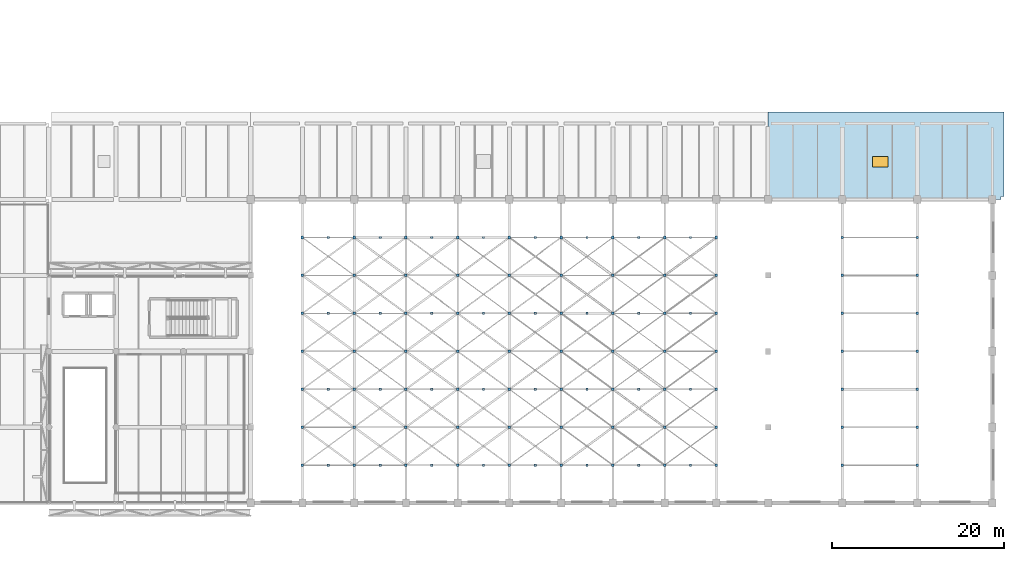
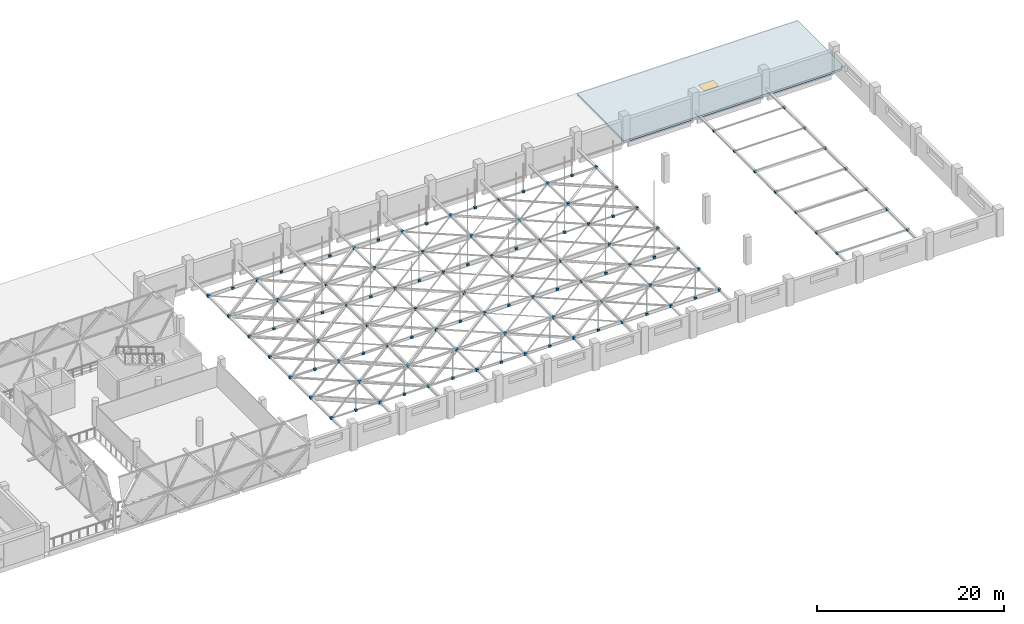
# One storey, part 72 of 93: 109 plates, 1 slab, 1 window, 1 opening.
"""IFC4 building model written with IfcOpenShell, lengths in metres."""

import ifcopenshell
import ifcopenshell.guid

model = None  # the IFC model being written
_history = None  # IfcOwnerHistory: only IFC2X3 demands one
_inside = {}  # id of a spatial element -> (the spatial element, [elements in it])
_under = {}  # id of a project, library or spatial element -> (it, [spatial elements below it])
_declared = {}  # id of a project -> (the project, [libraries it declares])
_typed = {}  # id of a type object -> (the type object, [elements of that type])
_made_of = {}  # id of a material, layer set ... -> (it, [elements and type objects made of it])


def new_model(schema):
    """Start an empty IFC model of exactly this schema.

    Asked for "IFC4X3", IfcOpenShell would pick the latest addendum, in which some entities
    have other attributes; the version numbers below select the first issue.
    IFC2X3 requires an IfcOwnerHistory on every rooted entity: one is made here for all.
    """
    global model, _history
    if schema == "IFC4X3":
        model = ifcopenshell.file(schema_version=(4, 3, 0, 0))
    else:
        model = ifcopenshell.file(schema=schema)
    _inside.clear()
    _under.clear()
    _declared.clear()
    _typed.clear()
    _made_of.clear()
    _history = None
    if model.schema == "IFC2X3":
        org = make("IfcOrganization", Name="unknown")
        user = make(
            "IfcPersonAndOrganization",
            ThePerson=make("IfcPerson", FamilyName="unknown"),
            TheOrganization=org,
        )
        app = make(
            "IfcApplication",
            ApplicationDeveloper=org,
            Version="unknown",
            ApplicationFullName="unknown",
            ApplicationIdentifier="unknown",
        )
        _history = make(
            "IfcOwnerHistory",
            OwningUser=user,
            OwningApplication=app,
            ChangeAction="ADDED",
            CreationDate=0,
        )
    return model


def make(cls, **values):
    """One entity of the class cls with the attributes given. An attribute that is None is left unset."""
    return model.create_entity(
        cls, **{name: value for name, value in values.items() if value is not None}
    )


def rooted(cls, **values):
    """An entity with a GlobalId (a new one), such as an element, a storey or a relation."""
    return make(cls, GlobalId=ifcopenshell.guid.new(), OwnerHistory=_history, **values)


def si_unit(unit_type, name, prefix=None):
    """IfcSIUnit, for example si_unit("LENGTHUNIT", "METRE", prefix="MILLI")."""
    return make("IfcSIUnit", UnitType=unit_type, Prefix=prefix, Name=name)


def assignment(units):
    """IfcUnitAssignment: the units of a project."""
    return None if units is None else make("IfcUnitAssignment", Units=units)


def point(xyz):
    """IfcCartesianPoint."""
    return None if xyz is None else make("IfcCartesianPoint", Coordinates=xyz)


def direction(xyz):
    """IfcDirection."""
    return None if xyz is None else make("IfcDirection", DirectionRatios=xyz)


def frame(location, z_axis=None, x_axis=None):
    """IfcAxis2Placement3D, a coordinate frame: its origin and axes. An axis left out is left unset."""
    return make(
        "IfcAxis2Placement3D",
        Location=point(location),
        Axis=direction(z_axis),
        RefDirection=direction(x_axis),
    )


def frame_2d(location, x_axis=None):
    """IfcAxis2Placement2D, a coordinate frame in the plane: its origin and x axis."""
    return make(
        "IfcAxis2Placement2D", Location=point(location), RefDirection=direction(x_axis)
    )


def origin():
    """The frame at (0, 0, 0) with its axes left unset."""
    return frame((0.0, 0.0, 0.0))


def origin_2d():
    """The frame at (0, 0) in the plane with its x axis left unset."""
    return frame_2d((0.0, 0.0))


def place(relative_to, where):
    """IfcLocalPlacement: puts the frame where relative to a parent placement (None: the world)."""
    return make(
        "IfcLocalPlacement", PlacementRelTo=relative_to, RelativePlacement=where
    )


def context(
    kind, dimensions, precision=None, world=None, true_north=None, identifier=None
):
    """IfcGeometricRepresentationContext, for example the 3D "Model" context."""
    return make(
        "IfcGeometricRepresentationContext",
        ContextIdentifier=identifier,
        ContextType=kind,
        CoordinateSpaceDimension=dimensions,
        Precision=precision,
        WorldCoordinateSystem=world,
        TrueNorth=true_north,
    )


def subcontext(parent, identifier, kind, view, scale=None):
    """IfcGeometricRepresentationSubContext, for example "Body" below "Model"."""
    return make(
        "IfcGeometricRepresentationSubContext",
        ContextIdentifier=identifier,
        ContextType=kind,
        ParentContext=parent,
        TargetScale=scale,
        TargetView=view,
    )


def project(units=None, contexts=None):
    """IfcProject with its units and contexts."""
    return rooted(
        "IfcProject",
        Name="project",
        RepresentationContexts=contexts,
        UnitsInContext=assignment(units),
    )


def spatial(cls, under=None, at=None, **own):
    """A site, building, storey or space (cls), placed at a placement, below another one or the project."""
    s = rooted(cls, ObjectPlacement=at, **own)
    if under is not None:
        _under.setdefault(under.id(), (under, []))[1].append(s)
    return s


def polyline(points):
    """IfcPolyline through the points."""
    return make("IfcPolyline", Points=[point(p) for p in points])


def profile(cls, at=None, kind="AREA", **sizes):
    """A parametric profile (cls). Its sizes go by their IFC names, for example OverallWidth=200.0."""
    return make(cls, ProfileType=kind, Position=at, **sizes)


def rectangle(**sizes):
    """IfcRectangleProfileDef."""
    return profile("IfcRectangleProfileDef", **sizes)


def outline(outer, holes=None, kind="AREA"):
    """IfcArbitraryClosedProfileDef: a profile drawn as a closed curve; with holes, ...WithVoids."""
    if holes is None:
        return make("IfcArbitraryClosedProfileDef", ProfileType=kind, OuterCurve=outer)
    return make(
        "IfcArbitraryProfileDefWithVoids",
        ProfileType=kind,
        OuterCurve=outer,
        InnerCurves=holes,
    )


def extrude(swept, where, along, depth):
    """IfcExtrudedAreaSolid: the profile swept, set in the frame where, extruded along a direction by depth."""
    return make(
        "IfcExtrudedAreaSolid",
        SweptArea=swept,
        Position=where,
        ExtrudedDirection=direction(along),
        Depth=depth,
    )


def shape(context_of_items, identifier, shape_type, items):
    """IfcShapeRepresentation: the items that make up one representation, for example the "Body"."""
    return make(
        "IfcShapeRepresentation",
        ContextOfItems=context_of_items,
        RepresentationIdentifier=identifier,
        RepresentationType=shape_type,
        Items=items,
    )


def material(Name=None, Category=None):
    """IfcMaterial."""
    return make("IfcMaterial", Name=Name, Category=Category)


def layer(
    of_material, thickness, ventilated=None, Name=None, Category=None, Priority=None
):
    """IfcMaterialLayer: one layer of a wall or slab, of a material (None: an air gap)."""
    return make(
        "IfcMaterialLayer",
        Material=of_material,
        LayerThickness=thickness,
        IsVentilated=ventilated,
        Name=Name,
        Category=Category,
        Priority=Priority,
    )


def layer_set(layers, Name=None):
    """IfcMaterialLayerSet."""
    return make("IfcMaterialLayerSet", MaterialLayers=layers, LayerSetName=Name)


def made_of(thing, what):
    """Note that an element or type object is made of a material, layer set ...; save() writes the relation."""
    if what is not None:
        _made_of.setdefault(what.id(), (what, []))[1].append(thing)
    return thing


def type_object(cls, material=None, **own):
    """A type object (cls), such as IfcWallType, which elements share."""
    return made_of(rooted(cls, **own), material)


def element(
    cls,
    number,
    at=None,
    inside=None,
    cuts=None,
    type_object=None,
    material=None,
    context=None,
    identifier="Body",
    shape_type=None,
    held_by="IfcProductDefinitionShape",
    body=None,
    shapes=None,
    **own,
):
    """One element of the class cls, such as IfcWall. Its Tag is "e" and its number.

    at: its placement. inside: the storey or other place that contains it. cuts: it is an
    opening in that element (IfcRelVoidsElement). A single representation is given by context,
    identifier, shape_type and body (its items); several are given by shapes. held_by: the class
    of the entity that holds the representations. save() writes the other relations.
    """
    e = rooted(cls, Tag="e%d" % number, ObjectPlacement=at, **own)
    if body is not None:
        shapes = [shape(context, identifier, shape_type, body)]
    if shapes is not None:
        e.Representation = make(held_by, Representations=shapes)
    if inside is not None:
        _inside.setdefault(inside.id(), (inside, []))[1].append(e)
    if cuts is not None:
        rooted(
            "IfcRelVoidsElement", RelatingBuildingElement=cuts, RelatedOpeningElement=e
        )
    if type_object is not None:
        _typed.setdefault(type_object.id(), (type_object, []))[1].append(e)
    return made_of(e, material)


def fill(opening, filler):
    """IfcRelFillsElement: the door or window that sits in an opening."""
    return rooted(
        "IfcRelFillsElement",
        RelatingOpeningElement=opening,
        RelatedBuildingElement=filler,
    )


def aggregate(whole, parts):
    """IfcRelAggregates: a whole, such as a stair, and the parts it consists of."""
    return rooted("IfcRelAggregates", RelatingObject=whole, RelatedObjects=parts)


def save(model, path):
    """Write the relations noted so far, then the file.

    IfcRelAggregates (storeys below a building ...), IfcRelContainedInSpatialStructure (elements
    in a storey), IfcRelDefinesByType, IfcRelAssociatesMaterial and IfcRelDeclares: one each for
    every whole, place, type object, material and project.
    """
    for whole, parts in _under.values():
        aggregate(whole, parts)
    for where, things in _inside.values():
        rooted(
            "IfcRelContainedInSpatialStructure",
            RelatedElements=things,
            RelatingStructure=where,
        )
    for kind, things in _typed.values():
        rooted("IfcRelDefinesByType", RelatedObjects=things, RelatingType=kind)
    for what, things in _made_of.values():
        rooted("IfcRelAssociatesMaterial", RelatedObjects=things, RelatingMaterial=what)
    for by, libraries in _declared.values():
        rooted("IfcRelDeclares", RelatingContext=by, RelatedDefinitions=libraries)
    model.write(path)


model = new_model("IFC4")

# Units and contexts
model_context = context("Model", 3, precision=1e-05, world=origin(), true_north=direction((0.0, 1.0)))
body_context = subcontext(model_context, "Body", "Model", "MODEL_VIEW")
ifc_project = project(units=[si_unit("LENGTHUNIT", "METRE"), si_unit("AREAUNIT", "SQUARE_METRE"), si_unit("VOLUMEUNIT", "CUBIC_METRE"), si_unit("PLANEANGLEUNIT", "RADIAN"), si_unit("MASSUNIT", "GRAM", prefix="KILO")], contexts=[model_context])

# Site, building, storey
site_placement = place(None, origin())
site = spatial("IfcSite", under=ifc_project, at=site_placement, CompositionType="ELEMENT")
building_placement = place(site_placement, origin())
building = spatial("IfcBuilding", under=site, at=building_placement, Name="Varnakota Cinema and Media Centre", CompositionType="ELEMENT")
storey_placement = place(building_placement, frame((0.0, 0.0, 12.0)))
storey = spatial("IfcBuildingStorey", under=building, at=storey_placement, Name="L03", CompositionType="ELEMENT", Elevation=12.0)

# Plates
ifc_material_1 = material(Name="Structural steel Grade 350 (E350)", Category="steel")
ifc_layer_1 = layer(ifc_material_1, 0.01611328125)
ifc_layer_set_1 = layer_set([ifc_layer_1], Name="Structural steel Grade 350 (E350)")
plate_type = type_object("IfcPlateType", Name="PL-NODE-16", PredefinedType="SHEET", material=ifc_layer_set_1)
for number, where, z_axis, x_axis, name in (
    (1, (84.0, 4.39990234375, 1.16015625), (0.0, 0.0, 1.0), (1.0, 0.0, 0.0), "V1 hanger base plate 2.1"),
    (2, (84.0, 13.199951171875, 1.16015625), (0.0, 0.0, 1.0), (1.0, 0.0, 0.0), "V1 hanger base plate 2.2"),
    (3, (84.0, 22.0, 1.16015625), (0.0, 0.0, 1.0), (1.0, 0.0, 0.0), "V1 hanger base plate 2.3"),
    (4, (84.0, 30.800048828125, 1.16015625), (0.0, 0.0, 1.0), (1.0, 0.0, 0.0), "V1 hanger base plate 2.4"),
    (5, (90.0, 4.39990234375, 1.16015625), (0.0, 0.0, 1.0), (1.0, 0.0, 0.0), "V1 hanger base plate 3.1"),
    (6, (90.0, 13.199951171875, 1.16015625), (0.0, 0.0, 1.0), (1.0, 0.0, 0.0), "V1 hanger base plate 3.2"),
    (7, (90.0, 22.0, 1.16015625), (0.0, 0.0, 1.0), (1.0, 0.0, 0.0), "V1 hanger base plate 3.3"),
    (8, (90.0, 30.800048828125, 1.16015625), (0.0, 0.0, 1.0), (1.0, 0.0, 0.0), "V1 hanger base plate 3.4"),
    (9, (96.0, 4.39990234375, 1.16015625), (0.0, 0.0, 1.0), (1.0, 0.0, 0.0), "V1 hanger base plate 4.1"),
    (10, (96.0, 13.199951171875, 1.16015625), (0.0, 0.0, 1.0), (1.0, 0.0, 0.0), "V1 hanger base plate 4.2"),
    (11, (96.0, 22.0, 1.16015625), (0.0, 0.0, 1.0), (1.0, 0.0, 0.0), "V1 hanger base plate 4.3"),
    (12, (96.0, 30.800048828125, 1.16015625), (0.0, 0.0, 1.0), (1.0, 0.0, 0.0), "V1 hanger base plate 4.4"),
    (13, (102.0, 4.39990234375, 1.16015625), (0.0, 0.0, 1.0), (1.0, 0.0, 0.0), "V1 hanger base plate 5.1"),
    (14, (102.0, 13.199951171875, 1.16015625), (0.0, 0.0, 1.0), (1.0, 0.0, 0.0), "V1 hanger base plate 5.2"),
    (15, (102.0, 22.0, 1.16015625), (0.0, 0.0, 1.0), (1.0, 0.0, 0.0), "V1 hanger base plate 5.3"),
    (16, (102.0, 30.800048828125, 1.16015625), (0.0, 0.0, 1.0), (1.0, 0.0, 0.0), "V1 hanger base plate 5.4"),
    (17, (108.0, 4.39990234375, 1.16015625), (0.0, 0.0, 1.0), (1.0, 0.0, 0.0), "V1 hanger base plate 6.1"),
    (18, (108.0, 13.199951171875, 1.16015625), (0.0, 0.0, 1.0), (1.0, 0.0, 0.0), "V1 hanger base plate 6.2"),
    (19, (108.0, 22.0, 1.16015625), (0.0, 0.0, 1.0), (1.0, 0.0, 0.0), "V1 hanger base plate 6.3"),
    (20, (108.0, 30.800048828125, 1.16015625), (0.0, 0.0, 1.0), (1.0, 0.0, 0.0), "V1 hanger base plate 6.4"),
    (21, (114.0, 4.39990234375, 1.16015625), (0.0, 0.0, 1.0), (1.0, 0.0, 0.0), "V1 hanger base plate 7.1"),
    (22, (114.0, 13.199951171875, 1.16015625), (0.0, 0.0, 1.0), (1.0, 0.0, 0.0), "V1 hanger base plate 7.2"),
    (23, (114.0, 22.0, 1.16015625), (0.0, 0.0, 1.0), (1.0, 0.0, 0.0), "V1 hanger base plate 7.3"),
    (24, (114.0, 30.800048828125, 1.16015625), (0.0, 0.0, 1.0), (1.0, 0.0, 0.0), "V1 hanger base plate 7.4"),
    (25, (120.0, 4.39990234375, 1.16015625), (0.0, 0.0, 1.0), (1.0, 0.0, 0.0), "V1 hanger base plate 8.1"),
    (26, (120.0, 13.199951171875, 1.16015625), (0.0, 0.0, 1.0), (1.0, 0.0, 0.0), "V1 hanger base plate 8.2"),
    (27, (120.0, 22.0, 1.16015625), (0.0, 0.0, 1.0), (1.0, 0.0, 0.0), "V1 hanger base plate 8.3"),
    (28, (120.0, 30.800048828125, 1.16015625), (0.0, 0.0, 1.0), (1.0, 0.0, 0.0), "V1 hanger base plate 8.4"),
    (29, (126.0, 4.39990234375, 1.16015625), (0.0, 0.0, 1.0), (1.0, 0.0, 0.0), "V1 hanger base plate 9.1"),
    (30, (126.0, 13.199951171875, 1.16015625), (0.0, 0.0, 1.0), (1.0, 0.0, 0.0), "V1 hanger base plate 9.2"),
    (31, (126.0, 22.0, 1.16015625), (0.0, 0.0, 1.0), (1.0, 0.0, 0.0), "V1 hanger base plate 9.3"),
    (32, (126.0, 30.800048828125, 1.16015625), (0.0, 0.0, 1.0), (1.0, 0.0, 0.0), "V1 hanger base plate 9.4"),
):
    element("IfcPlate", number, at=place(storey_placement, frame(where, z_axis=z_axis, x_axis=x_axis)), inside=storey, type_object=plate_type, Name=name, PredefinedType="SHEET", context=body_context, shape_type="SweptSolid", body=[
        extrude(rectangle(XDim=0.280029296875, YDim=0.280029296875, at=origin_2d()), origin(), (0.0, 0.0, 1.0), 0.280029296875),
    ])
for number, where, z_axis, x_axis, name in (
    (33, (81.0, 4.39990234375, 1.14990234375), (0.0, 0.0, 1.0), (1.0, 0.0, 0.0), "V1 rigging splice node 1.1"),
    (34, (81.0, 8.800048828125, 1.14990234375), (0.0, 0.0, 1.0), (1.0, 0.0, 0.0), "V1 rigging splice node 1.2"),
    (35, (81.0, 13.199951171875, 1.14990234375), (0.0, 0.0, 1.0), (1.0, 0.0, 0.0), "V1 rigging splice node 1.3"),
    (36, (81.0, 17.60009765625, 1.14990234375), (0.0, 0.0, 1.0), (1.0, 0.0, 0.0), "V1 rigging splice node 1.4"),
    (37, (81.0, 22.0, 1.14990234375), (0.0, 0.0, 1.0), (1.0, 0.0, 0.0), "V1 rigging splice node 1.5"),
    (38, (81.0, 26.39990234375, 1.14990234375), (0.0, 0.0, 1.0), (1.0, 0.0, 0.0), "V1 rigging splice node 1.6"),
    (39, (81.0, 30.800048828125, 1.14990234375), (0.0, 0.0, 1.0), (1.0, 0.0, 0.0), "V1 rigging splice node 1.7"),
    (40, (87.0, 4.39990234375, 1.14990234375), (0.0, 0.0, 1.0), (1.0, 0.0, 0.0), "V1 rigging splice node 2.1"),
    (41, (87.0, 8.800048828125, 1.14990234375), (0.0, 0.0, 1.0), (1.0, 0.0, 0.0), "V1 rigging splice node 2.2"),
    (42, (87.0, 13.199951171875, 1.14990234375), (0.0, 0.0, 1.0), (1.0, 0.0, 0.0), "V1 rigging splice node 2.3"),
    (43, (87.0, 17.60009765625, 1.14990234375), (0.0, 0.0, 1.0), (1.0, 0.0, 0.0), "V1 rigging splice node 2.4"),
    (44, (87.0, 22.0, 1.14990234375), (0.0, 0.0, 1.0), (1.0, 0.0, 0.0), "V1 rigging splice node 2.5"),
    (45, (87.0, 26.39990234375, 1.14990234375), (0.0, 0.0, 1.0), (1.0, 0.0, 0.0), "V1 rigging splice node 2.6"),
    (46, (87.0, 30.800048828125, 1.14990234375), (0.0, 0.0, 1.0), (1.0, 0.0, 0.0), "V1 rigging splice node 2.7"),
    (47, (93.0, 4.39990234375, 1.14990234375), (0.0, 0.0, 1.0), (1.0, 0.0, 0.0), "V1 rigging splice node 3.1"),
    (48, (93.0, 8.800048828125, 1.14990234375), (0.0, 0.0, 1.0), (1.0, 0.0, 0.0), "V1 rigging splice node 3.2"),
    (49, (93.0, 13.199951171875, 1.14990234375), (0.0, 0.0, 1.0), (1.0, 0.0, 0.0), "V1 rigging splice node 3.3"),
    (50, (93.0, 17.60009765625, 1.14990234375), (0.0, 0.0, 1.0), (1.0, 0.0, 0.0), "V1 rigging splice node 3.4"),
    (51, (93.0, 22.0, 1.14990234375), (0.0, 0.0, 1.0), (1.0, 0.0, 0.0), "V1 rigging splice node 3.5"),
    (52, (93.0, 26.39990234375, 1.14990234375), (0.0, 0.0, 1.0), (1.0, 0.0, 0.0), "V1 rigging splice node 3.6"),
    (53, (93.0, 30.800048828125, 1.14990234375), (0.0, 0.0, 1.0), (1.0, 0.0, 0.0), "V1 rigging splice node 3.7"),
    (54, (99.0, 4.39990234375, 1.14990234375), (0.0, 0.0, 1.0), (1.0, 0.0, 0.0), "V1 rigging splice node 4.1"),
    (55, (99.0, 8.800048828125, 1.14990234375), (0.0, 0.0, 1.0), (1.0, 0.0, 0.0), "V1 rigging splice node 4.2"),
    (56, (99.0, 13.199951171875, 1.14990234375), (0.0, 0.0, 1.0), (1.0, 0.0, 0.0), "V1 rigging splice node 4.3"),
    (57, (99.0, 17.60009765625, 1.14990234375), (0.0, 0.0, 1.0), (1.0, 0.0, 0.0), "V1 rigging splice node 4.4"),
    (58, (99.0, 22.0, 1.14990234375), (0.0, 0.0, 1.0), (1.0, 0.0, 0.0), "V1 rigging splice node 4.5"),
    (59, (99.0, 26.39990234375, 1.14990234375), (0.0, 0.0, 1.0), (1.0, 0.0, 0.0), "V1 rigging splice node 4.6"),
    (60, (99.0, 30.800048828125, 1.14990234375), (0.0, 0.0, 1.0), (1.0, 0.0, 0.0), "V1 rigging splice node 4.7"),
    (61, (105.0, 4.39990234375, 1.14990234375), (0.0, 0.0, 1.0), (1.0, 0.0, 0.0), "V1 rigging splice node 5.1"),
    (62, (105.0, 8.800048828125, 1.14990234375), (0.0, 0.0, 1.0), (1.0, 0.0, 0.0), "V1 rigging splice node 5.2"),
    (63, (105.0, 13.199951171875, 1.14990234375), (0.0, 0.0, 1.0), (1.0, 0.0, 0.0), "V1 rigging splice node 5.3"),
    (64, (105.0, 17.60009765625, 1.14990234375), (0.0, 0.0, 1.0), (1.0, 0.0, 0.0), "V1 rigging splice node 5.4"),
    (65, (105.0, 22.0, 1.14990234375), (0.0, 0.0, 1.0), (1.0, 0.0, 0.0), "V1 rigging splice node 5.5"),
    (66, (105.0, 26.39990234375, 1.14990234375), (0.0, 0.0, 1.0), (1.0, 0.0, 0.0), "V1 rigging splice node 5.6"),
    (67, (105.0, 30.800048828125, 1.14990234375), (0.0, 0.0, 1.0), (1.0, 0.0, 0.0), "V1 rigging splice node 5.7"),
    (68, (111.0, 4.39990234375, 1.14990234375), (0.0, 0.0, 1.0), (1.0, 0.0, 0.0), "V1 rigging splice node 6.1"),
    (69, (111.0, 8.800048828125, 1.14990234375), (0.0, 0.0, 1.0), (1.0, 0.0, 0.0), "V1 rigging splice node 6.2"),
    (70, (111.0, 13.199951171875, 1.14990234375), (0.0, 0.0, 1.0), (1.0, 0.0, 0.0), "V1 rigging splice node 6.3"),
    (71, (111.0, 17.60009765625, 1.14990234375), (0.0, 0.0, 1.0), (1.0, 0.0, 0.0), "V1 rigging splice node 6.4"),
    (72, (111.0, 22.0, 1.14990234375), (0.0, 0.0, 1.0), (1.0, 0.0, 0.0), "V1 rigging splice node 6.5"),
    (73, (111.0, 26.39990234375, 1.14990234375), (0.0, 0.0, 1.0), (1.0, 0.0, 0.0), "V1 rigging splice node 6.6"),
    (74, (111.0, 30.800048828125, 1.14990234375), (0.0, 0.0, 1.0), (1.0, 0.0, 0.0), "V1 rigging splice node 6.7"),
    (75, (117.0, 4.39990234375, 1.14990234375), (0.0, 0.0, 1.0), (1.0, 0.0, 0.0), "V1 rigging splice node 7.1"),
    (76, (117.0, 8.800048828125, 1.14990234375), (0.0, 0.0, 1.0), (1.0, 0.0, 0.0), "V1 rigging splice node 7.2"),
    (77, (117.0, 13.199951171875, 1.14990234375), (0.0, 0.0, 1.0), (1.0, 0.0, 0.0), "V1 rigging splice node 7.3"),
    (78, (117.0, 17.60009765625, 1.14990234375), (0.0, 0.0, 1.0), (1.0, 0.0, 0.0), "V1 rigging splice node 7.4"),
    (79, (117.0, 22.0, 1.14990234375), (0.0, 0.0, 1.0), (1.0, 0.0, 0.0), "V1 rigging splice node 7.5"),
    (80, (117.0, 26.39990234375, 1.14990234375), (0.0, 0.0, 1.0), (1.0, 0.0, 0.0), "V1 rigging splice node 7.6"),
    (81, (117.0, 30.800048828125, 1.14990234375), (0.0, 0.0, 1.0), (1.0, 0.0, 0.0), "V1 rigging splice node 7.7"),
    (82, (123.0, 4.39990234375, 1.14990234375), (0.0, 0.0, 1.0), (1.0, 0.0, 0.0), "V1 rigging splice node 8.1"),
    (83, (123.0, 8.800048828125, 1.14990234375), (0.0, 0.0, 1.0), (1.0, 0.0, 0.0), "V1 rigging splice node 8.2"),
    (84, (123.0, 13.199951171875, 1.14990234375), (0.0, 0.0, 1.0), (1.0, 0.0, 0.0), "V1 rigging splice node 8.3"),
    (85, (123.0, 17.60009765625, 1.14990234375), (0.0, 0.0, 1.0), (1.0, 0.0, 0.0), "V1 rigging splice node 8.4"),
    (86, (123.0, 22.0, 1.14990234375), (0.0, 0.0, 1.0), (1.0, 0.0, 0.0), "V1 rigging splice node 8.5"),
    (87, (123.0, 26.39990234375, 1.14990234375), (0.0, 0.0, 1.0), (1.0, 0.0, 0.0), "V1 rigging splice node 8.6"),
    (88, (123.0, 30.800048828125, 1.14990234375), (0.0, 0.0, 1.0), (1.0, 0.0, 0.0), "V1 rigging splice node 8.7"),
    (89, (129.0, 4.39990234375, 1.14990234375), (0.0, 0.0, 1.0), (1.0, 0.0, 0.0), "V1 rigging splice node 9.1"),
    (90, (129.0, 8.800048828125, 1.14990234375), (0.0, 0.0, 1.0), (1.0, 0.0, 0.0), "V1 rigging splice node 9.2"),
    (91, (129.0, 13.199951171875, 1.14990234375), (0.0, 0.0, 1.0), (1.0, 0.0, 0.0), "V1 rigging splice node 9.3"),
    (92, (129.0, 17.60009765625, 1.14990234375), (0.0, 0.0, 1.0), (1.0, 0.0, 0.0), "V1 rigging splice node 9.4"),
    (93, (129.0, 22.0, 1.14990234375), (0.0, 0.0, 1.0), (1.0, 0.0, 0.0), "V1 rigging splice node 9.5"),
    (94, (129.0, 26.39990234375, 1.14990234375), (0.0, 0.0, 1.0), (1.0, 0.0, 0.0), "V1 rigging splice node 9.6"),
    (95, (129.0, 30.800048828125, 1.14990234375), (0.0, 0.0, 1.0), (1.0, 0.0, 0.0), "V1 rigging splice node 9.7"),
):
    element("IfcPlate", number, at=place(storey_placement, frame(where, z_axis=z_axis, x_axis=x_axis)), inside=storey, type_object=plate_type, Name=name, PredefinedType="SHEET", context=body_context, shape_type="SweptSolid", body=[
        extrude(rectangle(XDim=0.300048828125, YDim=0.300048828125, at=origin_2d()), origin(), (0.0, 0.0, 1.0), 0.300048828125),
    ])
for number, where, z_axis, x_axis, name in (
    (96, (143.60009765625, 4.39990234375, 0.85986328125), (0.0, 0.0, 1.0), (1.0, 0.0, 0.0), "V2 lighting grid node 1.1"),
    (97, (143.60009765625, 8.800048828125, 0.85986328125), (0.0, 0.0, 1.0), (1.0, 0.0, 0.0), "V2 lighting grid node 1.2"),
    (98, (143.60009765625, 13.199951171875, 0.85986328125), (0.0, 0.0, 1.0), (1.0, 0.0, 0.0), "V2 lighting grid node 1.3"),
    (99, (143.60009765625, 17.60009765625, 0.85986328125), (0.0, 0.0, 1.0), (1.0, 0.0, 0.0), "V2 lighting grid node 1.4"),
    (100, (143.60009765625, 22.0, 0.85986328125), (0.0, 0.0, 1.0), (1.0, 0.0, 0.0), "V2 lighting grid node 1.5"),
    (101, (143.60009765625, 26.39990234375, 0.85986328125), (0.0, 0.0, 1.0), (1.0, 0.0, 0.0), "V2 lighting grid node 1.6"),
    (102, (143.60009765625, 30.800048828125, 0.85986328125), (0.0, 0.0, 1.0), (1.0, 0.0, 0.0), "V2 lighting grid node 1.7"),
    (103, (152.300048828125, 4.39990234375, 0.85986328125), (0.0, 0.0, 1.0), (1.0, 0.0, 0.0), "V2 lighting grid node 2.1"),
    (104, (152.300048828125, 8.800048828125, 0.85986328125), (0.0, 0.0, 1.0), (1.0, 0.0, 0.0), "V2 lighting grid node 2.2"),
    (105, (152.300048828125, 13.199951171875, 0.85986328125), (0.0, 0.0, 1.0), (1.0, 0.0, 0.0), "V2 lighting grid node 2.3"),
    (106, (152.300048828125, 17.60009765625, 0.85986328125), (0.0, 0.0, 1.0), (1.0, 0.0, 0.0), "V2 lighting grid node 2.4"),
    (107, (152.300048828125, 22.0, 0.85986328125), (0.0, 0.0, 1.0), (1.0, 0.0, 0.0), "V2 lighting grid node 2.5"),
    (108, (152.300048828125, 26.39990234375, 0.85986328125), (0.0, 0.0, 1.0), (1.0, 0.0, 0.0), "V2 lighting grid node 2.6"),
    (109, (152.300048828125, 30.800048828125, 0.85986328125), (0.0, 0.0, 1.0), (1.0, 0.0, 0.0), "V2 lighting grid node 2.7"),
):
    element("IfcPlate", number, at=place(storey_placement, frame(where, z_axis=z_axis, x_axis=x_axis)), inside=storey, type_object=plate_type, Name=name, PredefinedType="SHEET", context=body_context, shape_type="SweptSolid", body=[
        extrude(rectangle(XDim=0.280029296875, YDim=0.280029296875, at=origin_2d()), origin(), (0.0, 0.0, 1.0), 0.280029296875),
    ])

# Slab, opening, window
ifc_material_2 = material(Name="Concrete M35", Category="concrete")
ifc_layer_2 = layer(ifc_material_2, 0.260009765625)
ifc_layer_set_2 = layer_set([ifc_layer_2], Name="Concrete M35")
slab_type = type_object("IfcSlabType", Name="SLB-ROOF-260", PredefinedType="ROOF", material=ifc_layer_set_2)
slab_placement = place(storey_placement, frame((0.0, 0.0, -0.260009765625)))
slab = element("IfcSlab", 110, at=slab_placement, inside=storey, type_object=slab_type, Name="L03 overhanging cool roof ROOF-V2-GAL", PredefinedType="ROOF", context=body_context, shape_type="SweptSolid", body=[
    extrude(outline(polyline([(135.0, 35.199951171875), (162.0, 35.199951171875), (162.0, 35.550048828125), (162.35009765625, 35.550048828125), (162.35009765625, 45.35009765625), (135.0, 45.35009765625), (135.0, 35.199951171875)])), origin(), (0.0, 0.0, 1.0), 0.260009765625),
])
opening_placement = place(slab_placement, frame((148.0, 39.60009765625, 0.0)))
opening = element("IfcOpeningElement", 111, at=opening_placement, cuts=slab, Name="Opening SK3", PredefinedType="OPENING", context=body_context, shape_type="SweptSolid", body=[
    extrude(rectangle(XDim=1.800048828125, YDim=1.199951171875, at=origin_2d()), origin(), (0.0, 0.0, 1.0), 0.260009765625),
])
ifc_material_3 = material(Name="Laminated solar-control double glazing", Category="glass")
window_type = type_object("IfcWindowType", Name="SKY-HATCH-3", PartitioningType="SINGLE_PANEL", PredefinedType="SKYLIGHT", material=ifc_material_3)
window_placement = place(opening_placement, frame((0.0, 0.0, 0.2099609375)))
window = element("IfcWindow", 112, at=window_placement, inside=storey, type_object=window_type, Name="L03 acoustic smoke-vent skylight SKY-L03-3", OverallHeight=1.199951171875, OverallWidth=1.800048828125, PartitioningType="SINGLE_PANEL", PredefinedType="SKYLIGHT", context=body_context, shape_type="SweptSolid", body=[
    extrude(rectangle(XDim=1.800048828125, YDim=1.199951171875, at=origin_2d()), origin(), (0.0, 0.0, 1.0), 0.050048828125),
])
fill(opening, window)

save(model, "model.ifc")
